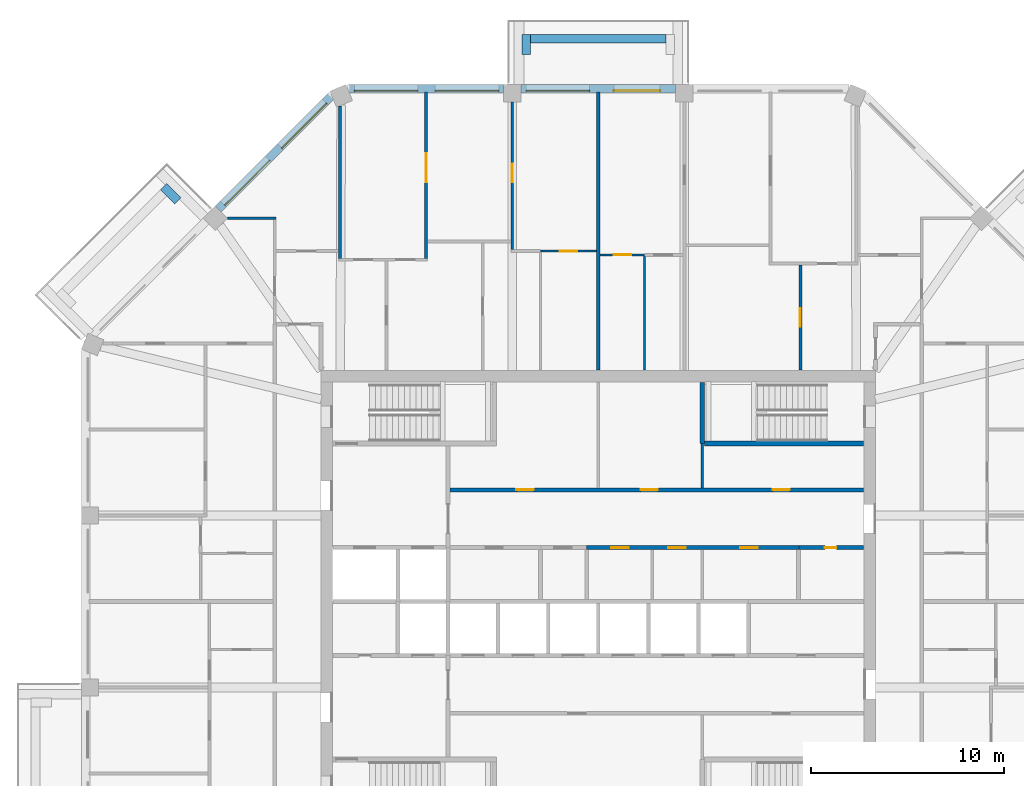
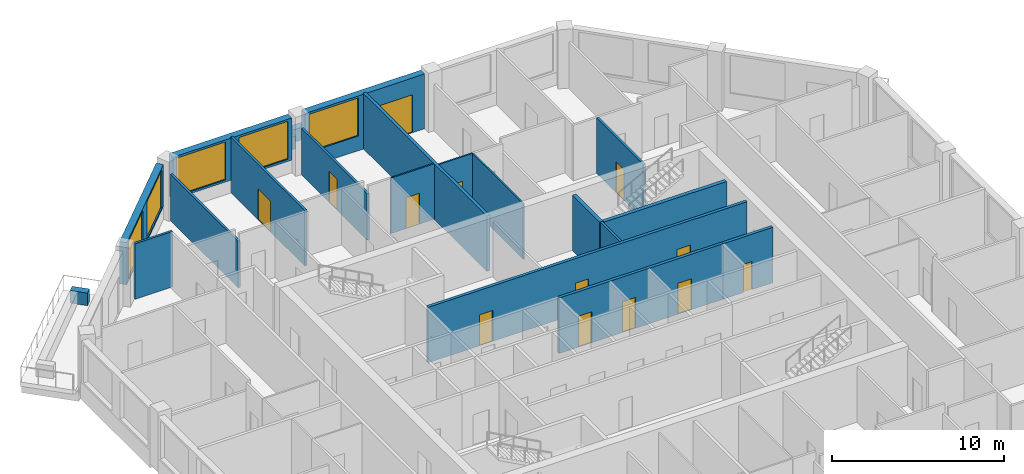
# One storey, part 8 of 11: 21 walls, 13 doors, 5 windows, 18 openings.
"""IFC4 building model written with IfcOpenShell, lengths in metres."""

from ifc_helpers import new_model, si_unit, direction, frame, frame_2d, origin, place, context, subcontext, project, spatial, rectangle, extrude, material, layer, layer_set, type_object, element, fill, save


model = new_model("IFC4")

# Units and contexts
model_context = context("Model", 3, precision=1e-05, world=origin(), true_north=direction((0.0, 1.0)))
body_context = subcontext(model_context, "Body", "Model", "MODEL_VIEW")
ifc_project = project(units=[si_unit("LENGTHUNIT", "METRE"), si_unit("AREAUNIT", "SQUARE_METRE"), si_unit("VOLUMEUNIT", "CUBIC_METRE"), si_unit("PLANEANGLEUNIT", "RADIAN"), si_unit("MASSUNIT", "GRAM", prefix="KILO")], contexts=[model_context])

# Site, building, storey
site_placement = place(None, origin())
site = spatial("IfcSite", under=ifc_project, at=site_placement, CompositionType="ELEMENT")
building_placement = place(site_placement, origin())
building = spatial("IfcBuilding", under=site, at=building_placement, Name="Msitu Wima Residences", CompositionType="ELEMENT")
storey_placement = place(building_placement, frame((0.0, 0.0, 226.5)))
storey = spatial("IfcBuildingStorey", under=building, at=storey_placement, Name="L52", CompositionType="ELEMENT", Elevation=226.5)

# Walls
ifc_material_1 = material(Name="Facing brick")
ifc_layer_1 = layer(ifc_material_1, 0.06494140625, Name="Facing brick")
ifc_material_2 = material(Name="Concrete C40/50", Category="concrete")
ifc_layer_2 = layer(ifc_material_2, 0.156005859375, Name="Concrete C40/50")
ifc_material_3 = material(Name="Waterproofing membrane")
ifc_layer_3 = layer(ifc_material_3, 0.00390625, Name="Waterproofing membrane")
ifc_material_4 = material(Name="Planting soil and planting")
ifc_layer_4 = layer(ifc_material_4, 0.22509765625, Name="Planting soil and planting")
ifc_layer_set_1 = layer_set([ifc_layer_1, ifc_layer_2, ifc_layer_3, ifc_layer_4], Name="Concrete C40/50")
wall_type_1 = type_object("IfcWallType", Name="Balcony planter PLANTER PL450", PredefinedType="USERDEFINED", material=ifc_layer_set_1)
wall_1_placement = place(storey_placement, frame((3.5185546875, 29.22509765625, 0.0), z_axis=(0.0, 0.0, 1.0), x_axis=(-1.0, 0.0, 0.0)))
element("IfcWall", 1, at=wall_1_placement, inside=storey, type_object=wall_type_1, Name="Balcony planter N1 L52", ObjectType="PLANTER", PredefinedType="USERDEFINED", context=body_context, shape_type="SweptSolid", body=[
    extrude(rectangle(XDim=7.037109375, YDim=0.449951171875, at=frame_2d((3.5185546875, 0.0))), origin(), (0.0, 0.0, 1.0), 0.89990234375),
])
for number, where, z_axis, x_axis, name in (
    (2, (-3.74365234375, 28.39990234375, 0.0), (0.0, 0.0, 1.0), (0.0, 1.0, 0.0), "Balcony planter N1 L52"),
    (3, (-21.829833984375, 20.804443359375, 0.0), (0.0, 0.0, 1.0), (-0.707106781187, 0.707106781187, 0.0), "Balcony planter NW1 L52"),
):
    element("IfcWall", number, at=place(storey_placement, frame(where, z_axis=z_axis, x_axis=x_axis)), inside=storey, type_object=wall_type_1, Name=name, ObjectType="PLANTER", PredefinedType="USERDEFINED", context=body_context, shape_type="SweptSolid", body=[
        extrude(rectangle(XDim=1.050048828125, YDim=0.449951171875, at=frame_2d((0.52490234375, 0.0))), origin(), (0.0, 0.0, 1.0), 0.89990234375),
    ])

# Wall, openings, door, window
ifc_material_5 = material(Name="Brick (red buff mix)", Category="masonry")
ifc_layer_5 = layer(ifc_material_5, 0.449951171875)
ifc_layer_set_2 = layer_set([ifc_layer_5], Name="Brick (red buff mix)")
wall_type_2 = type_object("IfcWallType", Name="Brick infill wall BW450", PredefinedType="SOLIDWALL", material=ifc_layer_set_2)
wall_2_placement = place(storey_placement, frame((4.0185546875, 26.625, 0.0), z_axis=(0.0, 0.0, 1.0), x_axis=(-1.0, 0.0, 0.0)))
wall_2 = element("IfcWall", 4, at=wall_2_placement, inside=storey, type_object=wall_type_2, Name="Brick infill wall L52 N1", PredefinedType="SOLIDWALL", context=body_context, shape_type="SweptSolid", body=[
    extrude(rectangle(XDim=8.037109375, YDim=0.449951171875, at=frame_2d((4.0185546875, 0.0))), origin(), (0.0, 0.0, 1.0), 3.89990234375),
])
opening_1_placement = place(wall_2_placement, frame((0.809326171875, 0.0, 0.0)))
opening_1 = element("IfcOpeningElement", 5, at=opening_1_placement, cuts=wall_2, Name="Opening D52-54.002", PredefinedType="OPENING", context=body_context, shape_type="SweptSolid", body=[
    extrude(rectangle(XDim=2.39990234375, YDim=2.699951171875, at=frame_2d((1.199951171875, 1.35009765625))), frame((0.0, 0.23486328125, 0.0), z_axis=(0.0, -1.0, 0.0), x_axis=(1.0, 0.0, 0.0)), (0.0, 0.0, 1.0), 0.469970703125),
])
opening_2_placement = place(wall_2_placement, frame((4.46875, 0.0, 1.050048828125)))
opening_2 = element("IfcOpeningElement", 6, at=opening_2_placement, cuts=wall_2, Name="Opening W52-54.008", PredefinedType="OPENING", context=body_context, shape_type="SweptSolid", body=[
    extrude(rectangle(XDim=3.300048828125, YDim=2.699951171875, at=frame_2d((1.64990234375, 1.35009765625))), frame((0.0, 0.23486328125, 0.0), z_axis=(0.0, -1.0, 0.0), x_axis=(1.0, 0.0, 0.0)), (0.0, 0.0, 1.0), 0.469970703125),
])
ifc_material_6 = material(Name="Anodised aluminium, bronze finish, clear low-emissivity double glazing", Category="aluminium")
door_type_1 = type_object("IfcDoorType", Name="Balcony door D2400x2700", OperationType="SLIDING_TO_LEFT", PredefinedType="DOOR", material=ifc_material_6)
door_1_placement = place(opening_1_placement, origin())
door_1 = element("IfcDoor", 7, at=door_1_placement, inside=storey, type_object=door_type_1, Name="Balcony door L52 N1", OperationType="SINGLE_SWING_LEFT", OverallHeight=2.699951171875, OverallWidth=2.39990234375, PredefinedType="DOOR", context=body_context, shape_type="SweptSolid", body=[
    extrude(rectangle(XDim=2.39990234375, YDim=2.699951171875, at=frame_2d((1.199951171875, 1.35009765625))), frame((0.0, 0.1298828125, 0.0), z_axis=(0.0, -1.0, 0.0), x_axis=(1.0, 0.0, 0.0)), (0.0, 0.0, 1.0), 0.050048828125),
])
fill(opening_1, door_1)
window_type = type_object("IfcWindowType", Name="Window W3300x2700", PartitioningType="DOUBLE_PANEL_VERTICAL", PredefinedType="WINDOW", material=ifc_material_6)
window_1_placement = place(opening_2_placement, origin())
window_1 = element("IfcWindow", 8, at=window_1_placement, inside=storey, type_object=window_type, Name="Window L52 N1.2", OverallHeight=2.699951171875, OverallWidth=3.300048828125, PartitioningType="SINGLE_PANEL", PredefinedType="WINDOW", context=body_context, shape_type="SweptSolid", body=[
    extrude(rectangle(XDim=3.300048828125, YDim=2.699951171875, at=frame_2d((1.64990234375, 1.35009765625))), frame((0.0, 0.135009765625, 0.0), z_axis=(0.0, -1.0, 0.0), x_axis=(1.0, 0.0, 0.0)), (0.0, 0.0, 1.0), 0.06005859375),
])
fill(opening_2, window_1)

# Wall, openings, windows
wall_3_placement = place(storey_placement, frame((-4.918701171875, 26.625, 0.89990234375), z_axis=(0.0, 0.0, 1.0), x_axis=(-1.0, 0.0, 0.0)))
wall_3 = element("IfcWall", 9, at=wall_3_placement, inside=storey, type_object=wall_type_2, Name="Brick infill wall L52 N2", PredefinedType="SOLIDWALL", context=body_context, shape_type="SweptSolid", body=[
    extrude(rectangle(XDim=8.0, YDim=0.449951171875, at=frame_2d((4.0, 0.0))), origin(), (0.0, 0.0, 1.0), 3.0),
])
opening_3_placement = place(wall_3_placement, frame((0.25, 0.0, 0.14990234375)))
opening_3 = element("IfcOpeningElement", 10, at=opening_3_placement, cuts=wall_3, Name="Opening W52-54.009", PredefinedType="OPENING", context=body_context, shape_type="SweptSolid", body=[
    extrude(rectangle(XDim=3.300048828125, YDim=2.699951171875, at=frame_2d((1.64990234375, 1.35009765625))), frame((0.0, 0.23486328125, 0.0), z_axis=(0.0, -1.0, 0.0), x_axis=(1.0, 0.0, 0.0)), (0.0, 0.0, 1.0), 0.469970703125),
])
opening_4_placement = place(wall_3_placement, frame((4.4501953125, 0.0, 0.14990234375)))
opening_4 = element("IfcOpeningElement", 11, at=opening_4_placement, cuts=wall_3, Name="Opening W52-54.010", PredefinedType="OPENING", context=body_context, shape_type="SweptSolid", body=[
    extrude(rectangle(XDim=3.300048828125, YDim=2.699951171875, at=frame_2d((1.64990234375, 1.35009765625))), frame((0.0, 0.23486328125, 0.0), z_axis=(0.0, -1.0, 0.0), x_axis=(1.0, 0.0, 0.0)), (0.0, 0.0, 1.0), 0.469970703125),
])
window_2_placement = place(opening_3_placement, origin())
window_2 = element("IfcWindow", 12, at=window_2_placement, inside=storey, type_object=window_type, Name="Window L52 N2.1", OverallHeight=2.699951171875, OverallWidth=3.300048828125, PartitioningType="SINGLE_PANEL", PredefinedType="WINDOW", context=body_context, shape_type="SweptSolid", body=[
    extrude(rectangle(XDim=3.300048828125, YDim=2.699951171875, at=frame_2d((1.64990234375, 1.35009765625))), frame((0.0, 0.135009765625, 0.0), z_axis=(0.0, -1.0, 0.0), x_axis=(1.0, 0.0, 0.0)), (0.0, 0.0, 1.0), 0.06005859375),
])
fill(opening_3, window_2)
window_3_placement = place(opening_4_placement, origin())
window_3 = element("IfcWindow", 13, at=window_3_placement, inside=storey, type_object=window_type, Name="Window L52 N2.2", OverallHeight=2.699951171875, OverallWidth=3.300048828125, PartitioningType="SINGLE_PANEL", PredefinedType="WINDOW", context=body_context, shape_type="SweptSolid", body=[
    extrude(rectangle(XDim=3.300048828125, YDim=2.699951171875, at=frame_2d((1.64990234375, 1.35009765625))), frame((0.0, 0.135009765625, 0.0), z_axis=(0.0, -1.0, 0.0), x_axis=(1.0, 0.0, 0.0)), (0.0, 0.0, 1.0), 0.06005859375),
])
fill(opening_4, window_3)

wall_4_placement = place(storey_placement, frame((-13.909423828125, 26.214599609375, 0.89990234375), z_axis=(0.0, 0.0, 1.0), x_axis=(-0.707106781187, -0.707106781187, 0.0)))
wall_4 = element("IfcWall", 14, at=wall_4_placement, inside=storey, type_object=wall_type_2, Name="Brick infill wall L52 NW0", PredefinedType="SOLIDWALL", context=body_context, shape_type="SweptSolid", body=[
    extrude(rectangle(XDim=8.251220703125, YDim=0.449951171875, at=frame_2d((4.12548828125, 0.0))), origin(), (0.0, 0.0, 1.0), 3.0),
])
opening_5_placement = place(wall_4_placement, frame((0.37548828125, 0.0, 0.14990234375)))
opening_5 = element("IfcOpeningElement", 15, at=opening_5_placement, cuts=wall_4, Name="Opening W52-54.014", PredefinedType="OPENING", context=body_context, shape_type="SweptSolid", body=[
    extrude(rectangle(XDim=3.300048828125, YDim=2.699951171875, at=frame_2d((1.64990234375, 1.35009765625))), frame((0.0, 0.23486328125, 0.0), z_axis=(0.0, -1.0, 0.0), x_axis=(1.0, 0.0, 0.0)), (0.0, 0.0, 1.0), 0.469970703125),
])
opening_6_placement = place(wall_4_placement, frame((4.57568359375, 0.0, 0.14990234375)))
opening_6 = element("IfcOpeningElement", 16, at=opening_6_placement, cuts=wall_4, Name="Opening W52-54.015", PredefinedType="OPENING", context=body_context, shape_type="SweptSolid", body=[
    extrude(rectangle(XDim=3.300048828125, YDim=2.699951171875, at=frame_2d((1.64990234375, 1.35009765625))), frame((0.0, 0.23486328125, 0.0), z_axis=(0.0, -1.0, 0.0), x_axis=(1.0, 0.0, 0.0)), (0.0, 0.0, 1.0), 0.469970703125),
])
window_4_placement = place(opening_5_placement, origin())
window_4 = element("IfcWindow", 17, at=window_4_placement, inside=storey, type_object=window_type, Name="Window L52 NW0.1", OverallHeight=2.699951171875, OverallWidth=3.300048828125, PartitioningType="SINGLE_PANEL", PredefinedType="WINDOW", context=body_context, shape_type="SweptSolid", body=[
    extrude(rectangle(XDim=3.300048828125, YDim=2.699951171875, at=frame_2d((1.64990234375, 1.35009765625))), frame((0.0, 0.135009765625, 0.0), z_axis=(0.0, -1.0, 0.0), x_axis=(1.0, 0.0, 0.0)), (0.0, 0.0, 1.0), 0.06005859375),
])
fill(opening_5, window_4)
window_5_placement = place(opening_6_placement, origin())
window_5 = element("IfcWindow", 18, at=window_5_placement, inside=storey, type_object=window_type, Name="Window L52 NW0.2", OverallHeight=2.699951171875, OverallWidth=3.300048828125, PartitioningType="SINGLE_PANEL", PredefinedType="WINDOW", context=body_context, shape_type="SweptSolid", body=[
    extrude(rectangle(XDim=3.300048828125, YDim=2.699951171875, at=frame_2d((1.64990234375, 1.35009765625))), frame((0.0, 0.135009765625, 0.0), z_axis=(0.0, -1.0, 0.0), x_axis=(1.0, 0.0, 0.0)), (0.0, 0.0, 1.0), 0.06005859375),
])
fill(opening_6, window_5)

# Wall, openings, doors
ifc_material_7 = material(Name="Plaster")
ifc_layer_6 = layer(ifc_material_7, 0.011962890625, Name="Plaster")
ifc_material_8 = material(Name="Concrete blockwork", Category="masonry")
ifc_layer_7 = layer(ifc_material_8, 0.176025390625, Name="Concrete blockwork")
ifc_layer_8 = layer(ifc_material_7, 0.011962890625, Name="Plaster")
ifc_layer_set_3 = layer_set([ifc_layer_6, ifc_layer_7, ifc_layer_8], Name="Concrete blockwork")
wall_type_3 = type_object("IfcWallType", Name="Corridor wall FW200", PredefinedType="PARTITIONING", material=ifc_layer_set_3)
wall_5_placement = place(storey_placement, frame((-7.699951171875, 5.800048828125, 0.0), z_axis=(0.0, 0.0, 1.0), x_axis=(1.0, 0.0, 0.0)))
wall_5 = element("IfcWall", 19, at=wall_5_placement, inside=storey, type_object=wall_type_3, Name="Corridor wall", PredefinedType="PARTITIONING", context=body_context, shape_type="SweptSolid", body=[
    extrude(rectangle(XDim=21.469970703125, YDim=0.199951171875, at=frame_2d((10.73486328125, 0.0))), origin(), (0.0, 0.0, 1.0), 3.949951171875),
])
opening_7_placement = place(wall_5_placement, frame((3.449951171875, 0.0, 0.0)))
opening_7 = element("IfcOpeningElement", 20, at=opening_7_placement, cuts=wall_5, Name="Opening D52-54.071", PredefinedType="OPENING", context=body_context, shape_type="SweptSolid", body=[
    extrude(rectangle(XDim=0.89990234375, YDim=2.199951171875, at=frame_2d((0.449951171875, 1.10009765625))), frame((0.0, 0.10986328125, 0.0), z_axis=(0.0, -1.0, 0.0), x_axis=(1.0, 0.0, 0.0)), (0.0, 0.0, 1.0), 0.219970703125),
])
opening_8_placement = place(wall_5_placement, frame((9.89990234375, 0.0, 0.0)))
opening_8 = element("IfcOpeningElement", 21, at=opening_8_placement, cuts=wall_5, Name="Opening D52-54.072", PredefinedType="OPENING", context=body_context, shape_type="SweptSolid", body=[
    extrude(rectangle(XDim=0.89990234375, YDim=2.199951171875, at=frame_2d((0.449951171875, 1.10009765625))), frame((0.0, 0.10986328125, 0.0), z_axis=(0.0, -1.0, 0.0), x_axis=(1.0, 0.0, 0.0)), (0.0, 0.0, 1.0), 0.219970703125),
])
opening_9_placement = place(wall_5_placement, frame((16.75, 0.0, 0.0)))
opening_9 = element("IfcOpeningElement", 22, at=opening_9_placement, cuts=wall_5, Name="Opening D52-54.073", PredefinedType="OPENING", context=body_context, shape_type="SweptSolid", body=[
    extrude(rectangle(XDim=0.89990234375, YDim=2.199951171875, at=frame_2d((0.449951171875, 1.10009765625))), frame((0.0, 0.10986328125, 0.0), z_axis=(0.0, -1.0, 0.0), x_axis=(1.0, 0.0, 0.0)), (0.0, 0.0, 1.0), 0.219970703125),
])
ifc_material_9 = material(Name="Timber flush door", Category="wood")
door_type_2 = type_object("IfcDoorType", Name="Service door D05 900x2200", OperationType="SINGLE_SWING_LEFT", PredefinedType="DOOR", material=ifc_material_9)
door_2_placement = place(opening_7_placement, origin())
door_2 = element("IfcDoor", 23, at=door_2_placement, inside=storey, type_object=door_type_2, Name="Service door", OperationType="SINGLE_SWING_LEFT", OverallHeight=2.199951171875, OverallWidth=0.89990234375, PredefinedType="DOOR", context=body_context, shape_type="SweptSolid", body=[
    extrude(rectangle(XDim=0.89990234375, YDim=2.199951171875, at=frame_2d((0.449951171875, 1.10009765625))), frame((0.0, 0.02490234375, 0.0), z_axis=(0.0, -1.0, 0.0), x_axis=(1.0, 0.0, 0.0)), (0.0, 0.0, 1.0), 0.050048828125),
])
fill(opening_7, door_2)
door_3_placement = place(opening_8_placement, origin())
door_3 = element("IfcDoor", 24, at=door_3_placement, inside=storey, type_object=door_type_2, Name="Service door", OperationType="SINGLE_SWING_LEFT", OverallHeight=2.199951171875, OverallWidth=0.89990234375, PredefinedType="DOOR", context=body_context, shape_type="SweptSolid", body=[
    extrude(rectangle(XDim=0.89990234375, YDim=2.199951171875, at=frame_2d((0.449951171875, 1.10009765625))), frame((0.0, 0.02490234375, 0.0), z_axis=(0.0, -1.0, 0.0), x_axis=(1.0, 0.0, 0.0)), (0.0, 0.0, 1.0), 0.050048828125),
])
fill(opening_8, door_3)
door_4_placement = place(opening_9_placement, origin())
door_4 = element("IfcDoor", 25, at=door_4_placement, inside=storey, type_object=door_type_2, Name="Service door", OperationType="SINGLE_SWING_RIGHT", OverallHeight=2.199951171875, OverallWidth=0.89990234375, PredefinedType="DOOR", context=body_context, shape_type="SweptSolid", body=[
    extrude(rectangle(XDim=0.89990234375, YDim=2.199951171875, at=frame_2d((0.449951171875, 1.10009765625))), frame((0.0, 0.02490234375, 0.0), z_axis=(0.0, -1.0, 0.0), x_axis=(1.0, 0.0, 0.0)), (0.0, 0.0, 1.0), 0.050048828125),
])
fill(opening_9, door_4)

wall_6_placement = place(storey_placement, frame((-0.6201171875, 2.800048828125, 0.0), z_axis=(0.0, 0.0, 1.0), x_axis=(1.0, 0.0, 0.0)))
wall_6 = element("IfcWall", 26, at=wall_6_placement, inside=storey, type_object=wall_type_3, Name="Corridor wall", PredefinedType="PARTITIONING", context=body_context, shape_type="SweptSolid", body=[
    extrude(rectangle(XDim=11.0400390625, YDim=0.199951171875, at=frame_2d((5.52001953125, 0.0))), origin(), (0.0, 0.0, 1.0), 3.949951171875),
])
opening_10_placement = place(wall_6_placement, frame((1.300048828125, 0.0, 0.0)))
opening_10 = element("IfcOpeningElement", 27, at=opening_10_placement, cuts=wall_6, Name="Opening D52-54.080", PredefinedType="OPENING", context=body_context, shape_type="SweptSolid", body=[
    extrude(rectangle(XDim=0.89990234375, YDim=2.199951171875, at=frame_2d((0.449951171875, 1.10009765625))), frame((0.0, 0.10986328125, 0.0), z_axis=(0.0, -1.0, 0.0), x_axis=(1.0, 0.0, 0.0)), (0.0, 0.0, 1.0), 0.219970703125),
])
opening_11_placement = place(wall_6_placement, frame((4.25, 0.0, 0.0)))
opening_11 = element("IfcOpeningElement", 28, at=opening_11_placement, cuts=wall_6, Name="Opening D52-54.081", PredefinedType="OPENING", context=body_context, shape_type="SweptSolid", body=[
    extrude(rectangle(XDim=0.89990234375, YDim=2.199951171875, at=frame_2d((0.449951171875, 1.10009765625))), frame((0.0, 0.10986328125, 0.0), z_axis=(0.0, -1.0, 0.0), x_axis=(1.0, 0.0, 0.0)), (0.0, 0.0, 1.0), 0.219970703125),
])
opening_12_placement = place(wall_6_placement, frame((8.0, 0.0, 0.0)))
opening_12 = element("IfcOpeningElement", 29, at=opening_12_placement, cuts=wall_6, Name="Opening D52-54.082", PredefinedType="OPENING", context=body_context, shape_type="SweptSolid", body=[
    extrude(rectangle(XDim=0.89990234375, YDim=2.199951171875, at=frame_2d((0.449951171875, 1.10009765625))), frame((0.0, 0.10986328125, 0.0), z_axis=(0.0, -1.0, 0.0), x_axis=(1.0, 0.0, 0.0)), (0.0, 0.0, 1.0), 0.219970703125),
])
door_5_placement = place(opening_10_placement, origin())
door_5 = element("IfcDoor", 30, at=door_5_placement, inside=storey, type_object=door_type_2, Name="Service door", OperationType="SINGLE_SWING_LEFT", OverallHeight=2.199951171875, OverallWidth=0.89990234375, PredefinedType="DOOR", context=body_context, shape_type="SweptSolid", body=[
    extrude(rectangle(XDim=0.89990234375, YDim=2.199951171875, at=frame_2d((0.449951171875, 1.10009765625))), frame((0.0, 0.02490234375, 0.0), z_axis=(0.0, -1.0, 0.0), x_axis=(1.0, 0.0, 0.0)), (0.0, 0.0, 1.0), 0.050048828125),
])
fill(opening_10, door_5)
door_6_placement = place(opening_11_placement, origin())
door_6 = element("IfcDoor", 31, at=door_6_placement, inside=storey, type_object=door_type_2, Name="Service door", OperationType="SINGLE_SWING_RIGHT", OverallHeight=2.199951171875, OverallWidth=0.89990234375, PredefinedType="DOOR", context=body_context, shape_type="SweptSolid", body=[
    extrude(rectangle(XDim=0.89990234375, YDim=2.199951171875, at=frame_2d((0.449951171875, 1.10009765625))), frame((0.0, 0.02490234375, 0.0), z_axis=(0.0, -1.0, 0.0), x_axis=(1.0, 0.0, 0.0)), (0.0, 0.0, 1.0), 0.050048828125),
])
fill(opening_11, door_6)
door_7_placement = place(opening_12_placement, origin())
door_7 = element("IfcDoor", 32, at=door_7_placement, inside=storey, type_object=door_type_2, Name="Service door", OperationType="SINGLE_SWING_RIGHT", OverallHeight=2.199951171875, OverallWidth=0.89990234375, PredefinedType="DOOR", context=body_context, shape_type="SweptSolid", body=[
    extrude(rectangle(XDim=0.89990234375, YDim=2.199951171875, at=frame_2d((0.449951171875, 1.10009765625))), frame((0.0, 0.02490234375, 0.0), z_axis=(0.0, -1.0, 0.0), x_axis=(1.0, 0.0, 0.0)), (0.0, 0.0, 1.0), 0.050048828125),
])
fill(opening_12, door_7)

# Walls
ifc_layer_9 = layer(ifc_material_7, 0.011962890625, Name="Plaster")
ifc_layer_10 = layer(ifc_material_8, 0.1259765625, Name="Concrete blockwork")
ifc_layer_11 = layer(ifc_material_7, 0.011962890625, Name="Plaster")
ifc_layer_set_4 = layer_set([ifc_layer_9, ifc_layer_10, ifc_layer_11], Name="Concrete blockwork")
wall_type_4 = type_object("IfcWallType", Name="Partition PW150", PredefinedType="PARTITIONING", material=ifc_layer_set_4)
wall_7_placement = place(storey_placement, frame((-19.2666015625, 19.90283203125, 0.0), z_axis=(0.0, 0.0, 1.0), x_axis=(1.0, 0.0, 0.0)))
element("IfcWall", 33, at=wall_7_placement, inside=storey, type_object=wall_type_4, Name="Partition", PredefinedType="PARTITIONING", context=body_context, shape_type="SweptSolid", body=[
    extrude(rectangle(XDim=2.54150390625, YDim=0.14990234375, at=frame_2d((1.270751953125, 0.0))), origin(), (0.0, 0.0, 1.0), 3.949951171875),
])
wall_8_placement = place(storey_placement, frame((-13.406005859375, 17.824951171875, 0.0), z_axis=(0.0, 0.0, 1.0), x_axis=(0.0, 1.0, 0.0)))
element("IfcWall", 34, at=wall_8_placement, inside=storey, type_object=wall_type_4, Name="Partition", PredefinedType="PARTITIONING", context=body_context, shape_type="SweptSolid", body=[
    extrude(rectangle(XDim=7.90625, YDim=0.14990234375, at=frame_2d((3.953125, 0.0))), origin(), (0.0, 0.0, 1.0), 3.300048828125),
])

# Wall, opening, door
wall_9_placement = place(storey_placement, frame((-8.937255859375, 17.824951171875, 0.0), z_axis=(0.0, 0.0, 1.0), x_axis=(0.0, 1.0, 0.0)))
wall_9 = element("IfcWall", 35, at=wall_9_placement, inside=storey, type_object=wall_type_4, Name="Partition", PredefinedType="PARTITIONING", context=body_context, shape_type="SweptSolid", body=[
    extrude(rectangle(XDim=8.630126953125, YDim=0.14990234375, at=frame_2d((4.31494140625, 0.0))), origin(), (0.0, 0.0, 1.0), 3.949951171875),
])
opening_13_placement = place(wall_9_placement, frame((3.949951171875, 0.0, 0.0)))
opening_13 = element("IfcOpeningElement", 36, at=opening_13_placement, cuts=wall_9, Name="Opening D52-54.033", PredefinedType="OPENING", context=body_context, shape_type="SweptSolid", body=[
    extrude(rectangle(XDim=1.5, YDim=2.199951171875, at=frame_2d((0.75, 1.10009765625))), frame((0.0, 0.0849609375, 0.0), z_axis=(0.0, -1.0, 0.0), x_axis=(1.0, 0.0, 0.0)), (0.0, 0.0, 1.0), 0.169921875),
])
ifc_material_10 = material(Name="Timber double door", Category="wood")
door_type_3 = type_object("IfcDoorType", Name="Double door D04 1500x2200", OperationType="DOUBLE_DOOR_SINGLE_SWING", PredefinedType="DOOR", material=ifc_material_10)
door_8_placement = place(opening_13_placement, origin())
door_8 = element("IfcDoor", 37, at=door_8_placement, inside=storey, type_object=door_type_3, Name="Double door", OperationType="DOUBLE_DOOR_SINGLE_SWING", OverallHeight=2.199951171875, OverallWidth=1.5, PredefinedType="DOOR", context=body_context, shape_type="SweptSolid", body=[
    extrude(rectangle(XDim=1.5, YDim=2.199951171875, at=frame_2d((0.75, 1.10009765625))), frame((0.0, 0.02490234375, 0.0), z_axis=(0.0, -1.0, 0.0), x_axis=(1.0, 0.0, 0.0)), (0.0, 0.0, 1.0), 0.050048828125),
])
fill(opening_13, door_8)

wall_10_placement = place(storey_placement, frame((-4.46875, 18.27490234375, 0.0), z_axis=(0.0, 0.0, 1.0), x_axis=(0.0, 1.0, 0.0)))
wall_10 = element("IfcWall", 38, at=wall_10_placement, inside=storey, type_object=wall_type_4, Name="Partition", PredefinedType="PARTITIONING", context=body_context, shape_type="SweptSolid", body=[
    extrude(rectangle(XDim=7.675048828125, YDim=0.14990234375, at=frame_2d((3.83740234375, 0.0))), origin(), (0.0, 0.0, 1.0), 3.300048828125),
])
opening_14_placement = place(wall_10_placement, frame((3.5, 0.0, 0.0)))
opening_14 = element("IfcOpeningElement", 39, at=opening_14_placement, cuts=wall_10, Name="Opening D52-54.025", PredefinedType="OPENING", context=body_context, shape_type="SweptSolid", body=[
    extrude(rectangle(XDim=0.949951171875, YDim=2.199951171875, at=frame_2d((0.47509765625, 1.10009765625))), frame((0.0, 0.0849609375, 0.0), z_axis=(0.0, -1.0, 0.0), x_axis=(1.0, 0.0, 0.0)), (0.0, 0.0, 1.0), 0.169921875),
])
door_type_4 = type_object("IfcDoorType", Name="Room door D12 950x2200", OperationType="SINGLE_SWING_LEFT", PredefinedType="DOOR", material=ifc_material_9)
door_9_placement = place(opening_14_placement, origin())
door_9 = element("IfcDoor", 40, at=door_9_placement, inside=storey, type_object=door_type_4, Name="Room door", OperationType="SINGLE_SWING_LEFT", OverallHeight=2.199951171875, OverallWidth=0.949951171875, PredefinedType="DOOR", context=body_context, shape_type="SweptSolid", body=[
    extrude(rectangle(XDim=0.949951171875, YDim=2.199951171875, at=frame_2d((0.47509765625, 1.10009765625))), frame((0.0, 0.02490234375, 0.0), z_axis=(0.0, -1.0, 0.0), x_axis=(1.0, 0.0, 0.0)), (0.0, 0.0, 1.0), 0.050048828125),
])
fill(opening_14, door_9)

# Wall
wall_11_placement = place(storey_placement, frame((5.39990234375, 5.89990234375, 0.0), z_axis=(0.0, 0.0, 1.0), x_axis=(0.0, 1.0, 0.0)))
element("IfcWall", 41, at=wall_11_placement, inside=storey, type_object=wall_type_4, Name="Partition", PredefinedType="PARTITIONING", context=body_context, shape_type="SweptSolid", body=[
    extrude(rectangle(XDim=2.300048828125, YDim=0.14990234375, at=frame_2d((1.14990234375, 0.0))), origin(), (0.0, 0.0, 1.0), 3.949951171875),
])

# Wall, opening, door
wall_12_placement = place(storey_placement, frame((10.5, 12.030029296875, 0.0), z_axis=(0.0, 0.0, 1.0), x_axis=(0.0, 1.0, 0.0)))
wall_12 = element("IfcWall", 42, at=wall_12_placement, inside=storey, type_object=wall_type_4, Name="Partition", PredefinedType="PARTITIONING", context=body_context, shape_type="SweptSolid", body=[
    extrude(rectangle(XDim=5.445068359375, YDim=0.14990234375, at=frame_2d((2.72265625, 0.0))), origin(), (0.0, 0.0, 1.0), 3.949951171875),
])
opening_15_placement = place(wall_12_placement, frame((2.25, 0.0, 0.0)))
opening_15 = element("IfcOpeningElement", 43, at=opening_15_placement, cuts=wall_12, Name="Opening D52-54.009", PredefinedType="OPENING", context=body_context, shape_type="SweptSolid", body=[
    extrude(rectangle(XDim=0.949951171875, YDim=2.199951171875, at=frame_2d((0.47509765625, 1.10009765625))), frame((0.0, 0.0849609375, 0.0), z_axis=(0.0, -1.0, 0.0), x_axis=(1.0, 0.0, 0.0)), (0.0, 0.0, 1.0), 0.169921875),
])
door_10_placement = place(opening_15_placement, origin())
door_10 = element("IfcDoor", 44, at=door_10_placement, inside=storey, type_object=door_type_4, Name="Room door", OperationType="SINGLE_SWING_RIGHT", OverallHeight=2.199951171875, OverallWidth=0.949951171875, PredefinedType="DOOR", context=body_context, shape_type="SweptSolid", body=[
    extrude(rectangle(XDim=0.949951171875, YDim=2.199951171875, at=frame_2d((0.47509765625, 1.10009765625))), frame((0.0, 0.02490234375, 0.0), z_axis=(0.0, -1.0, 0.0), x_axis=(1.0, 0.0, 0.0)), (0.0, 0.0, 1.0), 0.050048828125),
])
fill(opening_15, door_10)

# Wall
ifc_layer_12 = layer(ifc_material_7, 0.011962890625, Name="Plaster")
ifc_material_11 = material(Name="Dense concrete blockwork", Category="masonry")
ifc_layer_13 = layer(ifc_material_11, 0.176025390625, Name="Dense concrete blockwork")
ifc_layer_14 = layer(ifc_material_7, 0.011962890625, Name="Plaster")
ifc_layer_set_5 = layer_set([ifc_layer_12, ifc_layer_13, ifc_layer_14], Name="Dense concrete blockwork")
wall_type_5 = type_object("IfcWallType", Name="Party wall PW200", PredefinedType="PARTITIONING", material=ifc_layer_set_5)
wall_13_placement = place(storey_placement, frame((0.0, 12.030029296875, 0.0), z_axis=(0.0, 0.0, 1.0), x_axis=(0.0, 1.0, 0.0)))
element("IfcWall", 45, at=wall_13_placement, inside=storey, type_object=wall_type_5, Name="Party wall", PredefinedType="PARTITIONING", context=body_context, shape_type="SweptSolid", body=[
    extrude(rectangle(XDim=14.425048828125, YDim=0.199951171875, at=frame_2d((7.21240234375, 0.0))), origin(), (0.0, 0.0, 1.0), 3.949951171875),
])

# Wall, opening, door
ifc_layer_15 = layer(ifc_material_7, 0.011962890625, Name="Plaster")
ifc_material_12 = material(Name="Reinforced concrete blockwork", Category="masonry")
ifc_layer_16 = layer(ifc_material_12, 0.176025390625, Name="Reinforced concrete blockwork")
ifc_layer_17 = layer(ifc_material_7, 0.011962890625, Name="Plaster")
ifc_layer_set_6 = layer_set([ifc_layer_15, ifc_layer_16, ifc_layer_17], Name="Reinforced concrete blockwork")
wall_type_6 = type_object("IfcWallType", Name="Plant and riser wall PL200", PredefinedType="PARTITIONING", material=ifc_layer_set_6)
wall_14_placement = place(storey_placement, frame((10.419921875, 2.800048828125, 0.0), z_axis=(0.0, 0.0, 1.0), x_axis=(1.0, 0.0, 0.0)))
wall_14 = element("IfcWall", 46, at=wall_14_placement, inside=storey, type_object=wall_type_6, Name="Plant and riser wall", PredefinedType="PARTITIONING", context=body_context, shape_type="SweptSolid", body=[
    extrude(rectangle(XDim=3.35009765625, YDim=0.199951171875, at=frame_2d((1.675048828125, 0.0))), origin(), (0.0, 0.0, 1.0), 3.949951171875),
])
opening_16_placement = place(wall_14_placement, frame((1.35009765625, 0.0, 0.0)))
opening_16 = element("IfcOpeningElement", 47, at=opening_16_placement, cuts=wall_14, Name="Opening D52-54.083", PredefinedType="OPENING", context=body_context, shape_type="SweptSolid", body=[
    extrude(rectangle(XDim=0.60009765625, YDim=2.0, at=frame_2d((0.300048828125, 1.0))), frame((0.0, 0.10986328125, 0.0), z_axis=(0.0, -1.0, 0.0), x_axis=(1.0, 0.0, 0.0)), (0.0, 0.0, 1.0), 0.219970703125),
])
ifc_material_13 = material(Name="Steel access door, fire resisting", Category="steel")
door_type_5 = type_object("IfcDoorType", Name="Riser access door D08 600x2000", OperationType="SINGLE_SWING_LEFT", PredefinedType="DOOR", material=ifc_material_13)
door_11_placement = place(opening_16_placement, origin())
door_11 = element("IfcDoor", 48, at=door_11_placement, inside=storey, type_object=door_type_5, Name="Riser access door", OperationType="SINGLE_SWING_RIGHT", OverallHeight=2.0, OverallWidth=0.60009765625, PredefinedType="DOOR", context=body_context, shape_type="SweptSolid", body=[
    extrude(rectangle(XDim=0.60009765625, YDim=2.0, at=frame_2d((0.300048828125, 1.0))), frame((0.0, 0.02490234375, 0.0), z_axis=(0.0, -1.0, 0.0), x_axis=(1.0, 0.0, 0.0)), (0.0, 0.0, 1.0), 0.050048828125),
])
fill(opening_16, door_11)

# Walls
ifc_material_14 = material(Name="Concrete C50/60", Category="concrete")
ifc_layer_18 = layer(ifc_material_14, 0.25)
ifc_layer_set_7 = layer_set([ifc_layer_18], Name="Concrete C50/60")
wall_type_7 = type_object("IfcWallType", Name="Stair enclosure wall SW250", PredefinedType="SHEAR", material=ifc_layer_set_7)
wall_15_placement = place(storey_placement, frame((5.39990234375, 8.199951171875, 0.0), z_axis=(0.0, 0.0, 1.0), x_axis=(0.0, 1.0, 0.0)))
element("IfcWall", 49, at=wall_15_placement, inside=storey, type_object=wall_type_7, Name="Stair enclosure wall", PredefinedType="SHEAR", context=body_context, shape_type="SweptSolid", body=[
    extrude(rectangle(XDim=3.170166015625, YDim=0.25, at=frame_2d((1.5849609375, 0.0))), origin(), (0.0, 0.0, 1.0), 3.949951171875),
])
wall_16_placement = place(storey_placement, frame((5.52490234375, 8.199951171875, 0.0), z_axis=(0.0, 0.0, 1.0), x_axis=(1.0, 0.0, 0.0)))
element("IfcWall", 50, at=wall_16_placement, inside=storey, type_object=wall_type_7, Name="Stair enclosure wall", PredefinedType="SHEAR", context=body_context, shape_type="SweptSolid", body=[
    extrude(rectangle(XDim=8.2451171875, YDim=0.25, at=frame_2d((4.12255859375, 0.0))), origin(), (0.0, 0.0, 1.0), 3.949951171875),
])

# Wall, opening, door
ifc_material_15 = material(Name="Ceramic tiles")
ifc_layer_19 = layer(ifc_material_15, 0.008056640625, Name="Ceramic tiles")
ifc_material_16 = material(Name="Moisture-resistant board")
ifc_layer_20 = layer(ifc_material_16, 0.012451171875, Name="Moisture-resistant board")
ifc_material_17 = material(Name="Light-gauge stud framing with mineral wool")
ifc_layer_21 = layer(ifc_material_17, 0.06689453125, Name="Light-gauge stud framing with mineral wool")
ifc_layer_22 = layer(ifc_material_16, 0.012451171875, Name="Moisture-resistant board")
ifc_layer_set_8 = layer_set([ifc_layer_19, ifc_layer_20, ifc_layer_21, ifc_layer_22], Name="Light-gauge stud framing with mineral wool")
wall_type_8 = type_object("IfcWallType", Name="Wet wall PW100", PredefinedType="PARTITIONING", material=ifc_layer_set_8)
wall_17_placement = place(storey_placement, frame((-3.0, 18.199951171875, 0.0), z_axis=(0.0, 0.0, 1.0), x_axis=(1.0, 0.0, 0.0)))
wall_17 = element("IfcWall", 51, at=wall_17_placement, inside=storey, type_object=wall_type_8, Name="Wet wall", PredefinedType="PARTITIONING", context=body_context, shape_type="SweptSolid", body=[
    extrude(rectangle(XDim=2.89990234375, YDim=0.10009765625, at=frame_2d((1.449951171875, 0.0))), origin(), (0.0, 0.0, 1.0), 3.949951171875),
])
opening_17_placement = place(wall_17_placement, frame((1.0, 0.0, 0.0)))
opening_17 = element("IfcOpeningElement", 52, at=opening_17_placement, cuts=wall_17, Name="Opening D52-54.027", PredefinedType="OPENING", context=body_context, shape_type="SweptSolid", body=[
    extrude(rectangle(XDim=0.89990234375, YDim=2.199951171875, at=frame_2d((0.449951171875, 1.10009765625))), frame((0.0, 0.06005859375, 0.0), z_axis=(0.0, -1.0, 0.0), x_axis=(1.0, 0.0, 0.0)), (0.0, 0.0, 1.0), 0.1201171875),
])
ifc_material_18 = material(Name="Timber flush door, moisture resistant", Category="wood")
door_type_6 = type_object("IfcDoorType", Name="Bathroom door D03 900x2200", OperationType="SINGLE_SWING_LEFT", PredefinedType="DOOR", material=ifc_material_18)
door_12_placement = place(opening_17_placement, origin())
door_12 = element("IfcDoor", 53, at=door_12_placement, inside=storey, type_object=door_type_6, Name="Bathroom door", OperationType="SINGLE_SWING_RIGHT", OverallHeight=2.199951171875, OverallWidth=0.89990234375, PredefinedType="DOOR", context=body_context, shape_type="SweptSolid", body=[
    extrude(rectangle(XDim=0.89990234375, YDim=2.199951171875, at=frame_2d((0.449951171875, 1.10009765625))), frame((0.0, 0.02490234375, 0.0), z_axis=(0.0, -1.0, 0.0), x_axis=(1.0, 0.0, 0.0)), (0.0, 0.0, 1.0), 0.050048828125),
])
fill(opening_17, door_12)

wall_18_placement = place(storey_placement, frame((0.10009765625, 18.0, 0.0), z_axis=(0.0, 0.0, 1.0), x_axis=(1.0, 0.0, 0.0)))
wall_18 = element("IfcWall", 54, at=wall_18_placement, inside=storey, type_object=wall_type_8, Name="Wet wall", PredefinedType="PARTITIONING", context=body_context, shape_type="SweptSolid", body=[
    extrude(rectangle(XDim=2.2998046875, YDim=0.10009765625, at=frame_2d((1.14990234375, 0.0))), origin(), (0.0, 0.0, 1.0), 3.949951171875),
])
opening_18_placement = place(wall_18_placement, frame((0.699951171875, 0.0, 0.0)))
opening_18 = element("IfcOpeningElement", 55, at=opening_18_placement, cuts=wall_18, Name="Opening D52-54.012", PredefinedType="OPENING", context=body_context, shape_type="SweptSolid", body=[
    extrude(rectangle(XDim=0.89990234375, YDim=2.199951171875, at=frame_2d((0.449951171875, 1.10009765625))), frame((0.0, 0.06005859375, 0.0), z_axis=(0.0, -1.0, 0.0), x_axis=(1.0, 0.0, 0.0)), (0.0, 0.0, 1.0), 0.1201171875),
])
door_13_placement = place(opening_18_placement, origin())
door_13 = element("IfcDoor", 56, at=door_13_placement, inside=storey, type_object=door_type_6, Name="Bathroom door", OperationType="SINGLE_SWING_LEFT", OverallHeight=2.199951171875, OverallWidth=0.89990234375, PredefinedType="DOOR", context=body_context, shape_type="SweptSolid", body=[
    extrude(rectangle(XDim=0.89990234375, YDim=2.199951171875, at=frame_2d((0.449951171875, 1.10009765625))), frame((0.0, 0.02490234375, 0.0), z_axis=(0.0, -1.0, 0.0), x_axis=(1.0, 0.0, 0.0)), (0.0, 0.0, 1.0), 0.050048828125),
])
fill(opening_18, door_13)

# Wall
wall_19_placement = place(storey_placement, frame((2.39990234375, 12.030029296875, 0.0), z_axis=(0.0, 0.0, 1.0), x_axis=(0.0, 1.0, 0.0)))
element("IfcWall", 57, at=wall_19_placement, inside=storey, type_object=wall_type_8, Name="Wet wall", PredefinedType="PARTITIONING", context=body_context, shape_type="SweptSolid", body=[
    extrude(rectangle(XDim=5.89501953125, YDim=0.10009765625, at=frame_2d((2.947509765625, 0.0))), origin(), (0.0, 0.0, 1.0), 3.949951171875),
])

save(model, "model.ifc")
